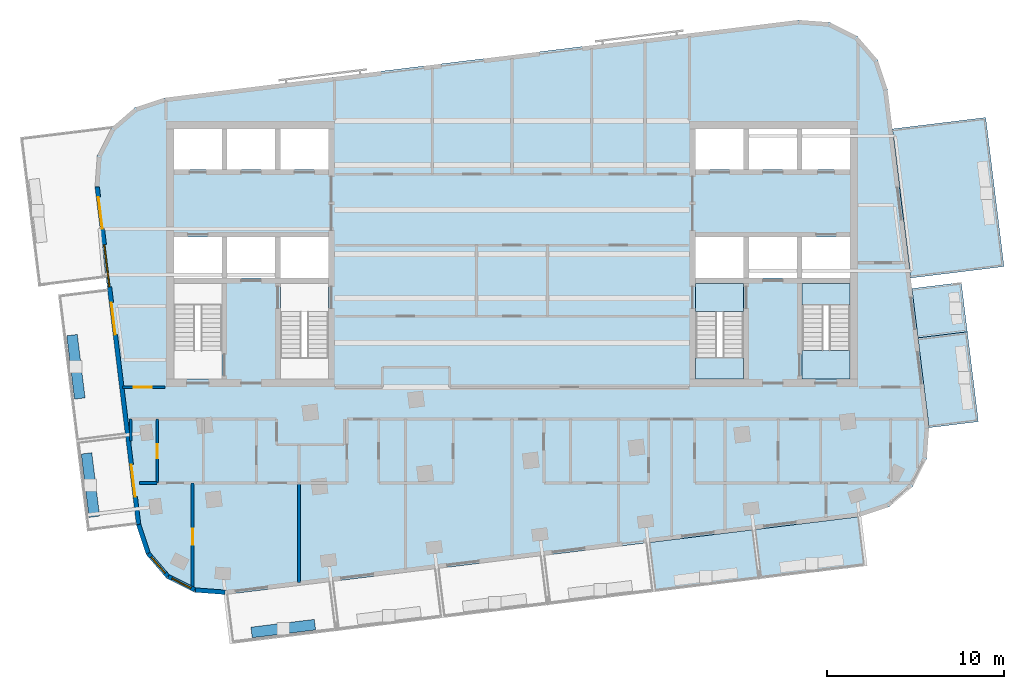
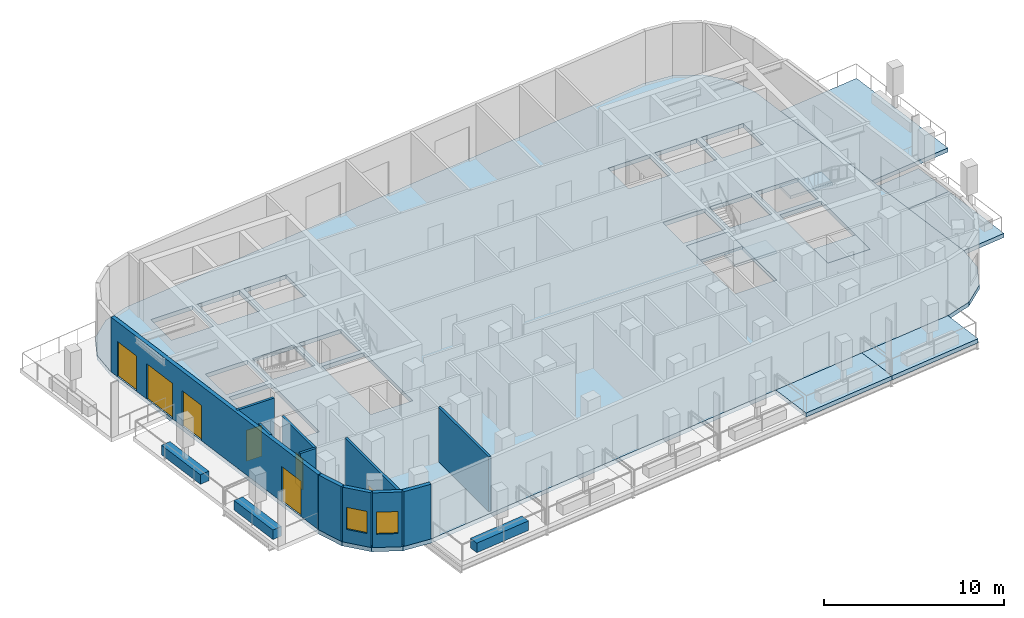
# One storey, part 2 of 11: 14 walls, 10 slabs, 6 doors, 3 windows, 9 openings, 2 elements without a shape of their own.
"""IFC4 building model written with IfcOpenShell, lengths in metres."""

from ifc_helpers import new_model, si_unit, direction, frame, frame_2d, origin, place, context, subcontext, project, spatial, polyline, rectangle, outline, extrude, material, layer, layer_set, type_object, element, fill, aggregate, save


model = new_model("IFC4")

# Units and contexts
model_context = context("Model", 3, precision=1e-05, world=origin(), true_north=direction((0.0, 1.0)))
body_context = subcontext(model_context, "Body", "Model", "MODEL_VIEW")
ifc_project = project(units=[si_unit("LENGTHUNIT", "METRE"), si_unit("AREAUNIT", "SQUARE_METRE"), si_unit("VOLUMEUNIT", "CUBIC_METRE"), si_unit("PLANEANGLEUNIT", "RADIAN"), si_unit("MASSUNIT", "GRAM", prefix="KILO")], contexts=[model_context])

# Site, building, storey
site_placement = place(None, origin())
site = spatial("IfcSite", under=ifc_project, at=site_placement, CompositionType="ELEMENT")
building_placement = place(site_placement, origin())
building = spatial("IfcBuilding", under=site, at=building_placement, Name="Torana Hotel and Residences", CompositionType="ELEMENT")
storey_placement = place(building_placement, frame((0.0, 0.0, 322.60009765625)))
storey = spatial("IfcBuildingStorey", under=building, at=storey_placement, Name="L85", CompositionType="ELEMENT", Elevation=322.60009765625)

# Slabs
ifc_material_1 = material(Name="Concrete C40/50", Category="concrete")
ifc_layer_1 = layer(ifc_material_1, 0.280029296875)
ifc_layer_set_1 = layer_set([ifc_layer_1], Name="BAL1 BALCONY SLAB 280")
slab_type_1 = type_object("IfcSlabType", Name="BAL1 BALCONY SLAB 280", PredefinedType="USERDEFINED", material=ifc_layer_set_1)
slab_1_placement = place(storey_placement, frame((0.0, 0.0, -0.280029296875)))
element("IfcSlab", 1, at=slab_1_placement, inside=storey, type_object=slab_type_1, Name="Balcony 05", ObjectType="BALCONY", PredefinedType="USERDEFINED", context=body_context, shape_type="SweptSolid", body=[
    extrude(outline(polyline([(8.014892578125, -26.542724609375), (13.97021484375, -25.8115234375), (13.62890625, -23.032470703125), (7.673583984375, -23.763671875), (8.014892578125, -26.542724609375)])), origin(), (0.0, 0.0, 1.0), 0.280029296875),
])
slab_2_placement = place(storey_placement, frame((0.0, 0.0, -0.280029296875)))
element("IfcSlab", 2, at=slab_2_placement, inside=storey, type_object=slab_type_1, Name="Balcony 06", ObjectType="BALCONY", PredefinedType="USERDEFINED", context=body_context, shape_type="SweptSolid", body=[
    extrude(outline(polyline([(13.97021484375, -25.8115234375), (19.92529296875, -25.080322265625), (19.584228515625, -22.30126953125), (13.62890625, -23.032470703125), (13.97021484375, -25.8115234375)])), origin(), (0.0, 0.0, 1.0), 0.280029296875),
])
slab_3_placement = place(storey_placement, frame((0.0, 0.0, -0.280029296875)))
element("IfcSlab", 3, at=slab_3_placement, inside=storey, type_object=slab_type_1, Name="Balcony 10", ObjectType="BALCONY", PredefinedType="USERDEFINED", context=body_context, shape_type="SweptSolid", body=[
    extrude(outline(polyline([(23.502197265625, -17.286376953125), (26.281494140625, -16.945068359375), (25.659912109375, -11.88330078125), (22.880615234375, -12.224365234375), (23.502197265625, -17.286376953125)])), origin(), (0.0, 0.0, 1.0), 0.280029296875),
])
slab_4_placement = place(storey_placement, frame((0.0, 0.0, -0.280029296875)))
element("IfcSlab", 4, at=slab_4_placement, inside=storey, type_object=slab_type_1, Name="Balcony 11", ObjectType="BALCONY", PredefinedType="USERDEFINED", context=body_context, shape_type="SweptSolid", body=[
    extrude(outline(polyline([(22.880615234375, -12.224365234375), (25.659912109375, -11.88330078125), (25.318603515625, -9.104248046875), (22.53955078125, -9.445556640625), (22.880615234375, -12.224365234375)])), origin(), (0.0, 0.0, 1.0), 0.280029296875),
])
slab_5_placement = place(storey_placement, frame((0.0, 0.0, -0.280029296875)))
element("IfcSlab", 5, at=slab_5_placement, inside=storey, type_object=slab_type_1, Name="Balcony 12", ObjectType="BALCONY", PredefinedType="USERDEFINED", context=body_context, shape_type="SweptSolid", body=[
    extrude(outline(polyline([(22.46630859375, -8.85009765625), (27.726806640625, -8.2041015625), (26.695556640625, 0.19580078125), (21.43505859375, -0.449951171875), (22.46630859375, -8.85009765625)])), origin(), (0.0, 0.0, 1.0), 0.280029296875),
])
ifc_material_2 = material(Name="Concrete C40/50", Category="concrete")
ifc_layer_2 = layer(ifc_material_2, 0.280029296875)
ifc_layer_set_2 = layer_set([ifc_layer_2], Name="FLOOR SLAB PT 280")
slab_type_2 = type_object("IfcSlabType", Name="FLOOR SLAB PT 280", PredefinedType="FLOOR", material=ifc_layer_set_2)
slab_6_placement = place(storey_placement, frame((0.0, 0.0, -0.280029296875)))
element("IfcSlab", 6, at=slab_6_placement, inside=storey, type_object=slab_type_2, Name="Floor slab", PredefinedType="FLOOR", context=body_context, shape_type="SweptSolid", body=[
    extrude(outline(polyline([(21.162353515625, 1.7705078125), (20.612548828125, 3.43798828125), (19.46630859375, 4.76806640625), (17.8984375, 5.558349609375), (16.1474609375, 5.6884765625), (-19.584228515625, 1.30126953125), (-21.251708984375, 0.75146484375), (-22.581787109375, -0.394775390625), (-23.3720703125, -1.962646484375), (-23.502197265625, -3.713623046875), (-21.162353515625, -22.7705078125), (-20.612548828125, -24.43798828125), (-19.46630859375, -25.76806640625), (-17.8984375, -26.558349609375), (-16.1474609375, -26.6884765625), (19.584228515625, -22.30126953125), (21.251708984375, -21.75146484375), (22.581787109375, -20.605224609375), (23.3720703125, -19.037353515625), (23.502197265625, -17.286376953125), (21.162353515625, 1.7705078125)]), holes=[polyline([(-13.050048828125, -14.550048828125), (-10.35009765625, -14.550048828125), (-10.35009765625, -9.14990234375), (-13.050048828125, -9.14990234375), (-13.050048828125, -14.550048828125)]), polyline([(-19.050048828125, -14.550048828125), (-16.35009765625, -14.550048828125), (-16.35009765625, -9.14990234375), (-19.050048828125, -9.14990234375), (-19.050048828125, -14.550048828125)]), polyline([(-19.050048828125, -2.75), (-16.35009765625, -2.75), (-16.35009765625, -0.449951171875), (-19.050048828125, -0.449951171875), (-19.050048828125, -2.75)]), polyline([(-13.050048828125, -2.75), (-10.35009765625, -2.75), (-10.35009765625, -0.449951171875), (-13.050048828125, -0.449951171875), (-13.050048828125, -2.75)]), polyline([(-16.050048828125, -2.75), (-13.35009765625, -2.75), (-13.35009765625, -0.449951171875), (-16.050048828125, -0.449951171875), (-16.050048828125, -2.75)]), polyline([(-13.050048828125, -8.85009765625), (-10.35009765625, -8.85009765625), (-10.35009765625, -6.550048828125), (-13.050048828125, -6.550048828125), (-13.050048828125, -8.85009765625)]), polyline([(-16.050048828125, -8.85009765625), (-13.35009765625, -8.85009765625), (-13.35009765625, -6.550048828125), (-16.050048828125, -6.550048828125), (-16.050048828125, -8.85009765625)]), polyline([(-19.050048828125, -8.85009765625), (-16.35009765625, -8.85009765625), (-16.35009765625, -6.550048828125), (-19.050048828125, -6.550048828125), (-19.050048828125, -8.85009765625)]), polyline([(10.35009765625, -14.550048828125), (13.050048828125, -14.550048828125), (13.050048828125, -9.14990234375), (10.35009765625, -9.14990234375), (10.35009765625, -14.550048828125)]), polyline([(16.35009765625, -14.550048828125), (19.050048828125, -14.550048828125), (19.050048828125, -9.14990234375), (16.35009765625, -9.14990234375), (16.35009765625, -14.550048828125)]), polyline([(16.35009765625, -2.75), (19.050048828125, -2.75), (19.050048828125, -0.449951171875), (16.35009765625, -0.449951171875), (16.35009765625, -2.75)]), polyline([(10.35009765625, -2.75), (13.050048828125, -2.75), (13.050048828125, -0.449951171875), (10.35009765625, -0.449951171875), (10.35009765625, -2.75)]), polyline([(13.35009765625, -2.75), (16.050048828125, -2.75), (16.050048828125, -0.449951171875), (13.35009765625, -0.449951171875), (13.35009765625, -2.75)]), polyline([(10.35009765625, -8.85009765625), (13.050048828125, -8.85009765625), (13.050048828125, -6.550048828125), (10.35009765625, -6.550048828125), (10.35009765625, -8.85009765625)]), polyline([(13.35009765625, -8.85009765625), (16.050048828125, -8.85009765625), (16.050048828125, -6.550048828125), (13.35009765625, -6.550048828125), (13.35009765625, -8.85009765625)]), polyline([(16.35009765625, -8.85009765625), (19.050048828125, -8.85009765625), (19.050048828125, -6.550048828125), (16.35009765625, -6.550048828125), (16.35009765625, -8.85009765625)])]), origin(), (0.0, 0.0, 1.0), 0.280029296875),
])

# Stair, slabs
ifc_material_3 = material(Name="Concrete C40/50 precast", Category="concrete")
stair_type_1 = type_object("IfcStairType", Name="STAIR ST3 HALF TURN 1200", PredefinedType="HALF_TURN_STAIR", material=ifc_material_3)
stair_1_placement = place(storey_placement, origin())
stair_1 = element("IfcStair", 7, at=stair_1_placement, inside=storey, type_object=stair_type_1, Name="Stair ST3 L85", PredefinedType="HALF_TURN_STAIR")
ifc_material_4 = material(Name="Concrete C40/50 precast", Category="concrete")
ifc_layer_3 = layer(ifc_material_4, 0.199951171875)
ifc_layer_set_3 = layer_set([ifc_layer_3], Name="STAIR LANDING 200")
slab_type_3 = type_object("IfcSlabType", Name="STAIR LANDING 200", PredefinedType="LANDING", material=ifc_layer_set_3)
slab_7_placement = place(storey_placement, frame((0.0, 0.0, 1.7998046875)))
slab_7 = element("IfcSlab", 8, at=slab_7_placement, type_object=slab_type_3, Name="ST3 landing 1", PredefinedType="LANDING", context=body_context, shape_type="SweptSolid", body=[
    extrude(outline(polyline([(10.35009765625, -14.550048828125), (13.050048828125, -14.550048828125), (13.050048828125, -13.35009765625), (10.35009765625, -13.35009765625), (10.35009765625, -14.550048828125)])), origin(), (0.0, 0.0, 1.0), 0.2001953125),
])
slab_8_placement = place(storey_placement, frame((0.0, 0.0, -0.2001953125)))
slab_8 = element("IfcSlab", 9, at=slab_8_placement, type_object=slab_type_3, Name="ST3 landing 2", PredefinedType="LANDING", context=body_context, shape_type="SweptSolid", body=[
    extrude(outline(polyline([(10.35009765625, -10.75), (13.050048828125, -10.75), (13.050048828125, -9.14990234375), (10.35009765625, -9.14990234375), (10.35009765625, -10.75)])), origin(), (0.0, 0.0, 1.0), 0.2001953125),
])
aggregate(stair_1, [slab_7, slab_8])

ifc_material_5 = material(Name="Concrete C40/50 precast", Category="concrete")
stair_type_2 = type_object("IfcStairType", Name="STAIR ST4 HALF TURN 1200", PredefinedType="HALF_TURN_STAIR", material=ifc_material_5)
stair_2_placement = place(storey_placement, origin())
stair_2 = element("IfcStair", 10, at=stair_2_placement, inside=storey, type_object=stair_type_2, Name="Stair ST4 L85", PredefinedType="HALF_TURN_STAIR")
slab_9_placement = place(storey_placement, frame((0.0, 0.0, 1.7998046875)))
slab_9 = element("IfcSlab", 11, at=slab_9_placement, type_object=slab_type_3, Name="ST4 landing 1", PredefinedType="LANDING", context=body_context, shape_type="SweptSolid", body=[
    extrude(outline(polyline([(16.35009765625, -10.35009765625), (19.050048828125, -10.35009765625), (19.050048828125, -9.14990234375), (16.35009765625, -9.14990234375), (16.35009765625, -10.35009765625)])), origin(), (0.0, 0.0, 1.0), 0.2001953125),
])
slab_10_placement = place(storey_placement, frame((0.0, 0.0, -0.2001953125)))
slab_10 = element("IfcSlab", 12, at=slab_10_placement, type_object=slab_type_3, Name="ST4 landing 2", PredefinedType="LANDING", context=body_context, shape_type="SweptSolid", body=[
    extrude(outline(polyline([(16.35009765625, -14.550048828125), (19.050048828125, -14.550048828125), (19.050048828125, -12.949951171875), (16.35009765625, -12.949951171875), (16.35009765625, -14.550048828125)])), origin(), (0.0, 0.0, 1.0), 0.2001953125),
])
aggregate(stair_2, [slab_9, slab_10])

# Wall, openings, doors, window
ifc_material_6 = material(Name="Black aluminium composite panel", Category="aluminium")
ifc_layer_4 = layer(ifc_material_6, 0.00390625, Name="Cladding", Category="cladding")
ifc_material_7 = material(Name="Ventilated air cavity")
ifc_layer_5 = layer(ifc_material_7, 0.0400390625, Name="Ventilated cavity", Category="cavity")
ifc_material_8 = material(Name="Mineral wool insulation")
ifc_layer_6 = layer(ifc_material_8, 0.090087890625, Name="Insulation", Category="insulation")
ifc_material_9 = material(Name="Steel S280GD", Category="steel")
ifc_layer_7 = layer(ifc_material_9, 0.092041015625, Name="Steel stud frame", Category="structure")
ifc_material_10 = material(Name="Fire rated plasterboard")
ifc_layer_8 = layer(ifc_material_10, 0.011962890625, Name="Inner board", Category="finish")
ifc_layer_9 = layer(ifc_material_10, 0.011962890625, Name="Second board", Category="finish")
ifc_layer_set_4 = layer_set([ifc_layer_4, ifc_layer_5, ifc_layer_6, ifc_layer_7, ifc_layer_8, ifc_layer_9], Name="EW1 EXTERNAL WALL BLACK METAL CLAD 250")
wall_type_1 = type_object("IfcWallType", Name="EW1 EXTERNAL WALL BLACK METAL CLAD 250", PredefinedType="SOLIDWALL", material=ifc_layer_set_4)
wall_1_placement = place(storey_placement, frame((-23.375, -3.722900390625, 0.0), z_axis=(0.0, 0.0, 1.0), x_axis=(0.121862878281, -0.992546945437, 0.0)))
wall_1 = element("IfcWall", 13, at=wall_1_placement, inside=storey, type_object=wall_type_1, Name="External wall L85 e0.9", PredefinedType="SOLIDWALL", context=body_context, shape_type="SweptSolid", body=[
    extrude(rectangle(XDim=19.150634765625, YDim=0.25, at=frame_2d((9.5751953125, 0.0))), origin(), (0.0, 0.0, 1.0), 3.719970703125),
])
opening_1_placement = place(wall_1_placement, frame((0.574951171875, 0.0, 0.0)))
opening_1 = element("IfcOpeningElement", 14, at=opening_1_placement, cuts=wall_1, Name="Opening L85-E10", PredefinedType="OPENING", context=body_context, shape_type="SweptSolid", body=[
    extrude(rectangle(XDim=1.800048828125, YDim=2.39990234375, at=frame_2d((0.89990234375, 1.199951171875))), frame((0.0, 0.135009765625, 0.0), z_axis=(0.0, -1.0, 0.0), x_axis=(1.0, 0.0, 0.0)), (0.0, 0.0, 1.0), 0.27001953125),
])
opening_2_placement = place(wall_1_placement, frame((3.275390625, 0.0, 0.0)))
opening_2 = element("IfcOpeningElement", 15, at=opening_2_placement, cuts=wall_1, Name="Opening W6", PredefinedType="OPENING", context=body_context, shape_type="SweptSolid", body=[
    extrude(rectangle(XDim=2.39990234375, YDim=2.39990234375, at=frame_2d((1.199951171875, 1.199951171875))), frame((0.0, 0.135009765625, 0.0), z_axis=(0.0, -1.0, 0.0), x_axis=(1.0, 0.0, 0.0)), (0.0, 0.0, 1.0), 0.27001953125),
])
opening_3_placement = place(wall_1_placement, frame((6.57568359375, 0.0, 0.0)))
opening_3 = element("IfcOpeningElement", 16, at=opening_3_placement, cuts=wall_1, Name="Opening L85-E11", PredefinedType="OPENING", context=body_context, shape_type="SweptSolid", body=[
    extrude(rectangle(XDim=1.800048828125, YDim=2.39990234375, at=frame_2d((0.89990234375, 1.199951171875))), frame((0.0, 0.135009765625, 0.0), z_axis=(0.0, -1.0, 0.0), x_axis=(1.0, 0.0, 0.0)), (0.0, 0.0, 1.0), 0.27001953125),
])
opening_4_placement = place(wall_1_placement, frame((15.77490234375, 0.0, 0.0)))
opening_4 = element("IfcOpeningElement", 17, at=opening_4_placement, cuts=wall_1, Name="Opening L85-E12", PredefinedType="OPENING", context=body_context, shape_type="SweptSolid", body=[
    extrude(rectangle(XDim=1.800048828125, YDim=2.39990234375, at=frame_2d((0.89990234375, 1.199951171875))), frame((0.0, 0.135009765625, 0.0), z_axis=(0.0, -1.0, 0.0), x_axis=(1.0, 0.0, 0.0)), (0.0, 0.0, 1.0), 0.27001953125),
])
ifc_material_11 = material(Name="Dark glass in black aluminium frame", Category="aluminium")
door_type_1 = type_object("IfcDoorType", Name="DB1 BALCONY DOOR 1800x2400", OperationType="DOUBLE_DOOR_SINGLE_SWING", PredefinedType="DOOR", material=ifc_material_11)
door_1_placement = place(opening_1_placement, origin())
door_1 = element("IfcDoor", 18, at=door_1_placement, inside=storey, type_object=door_type_1, Name="Balcony door L85", OperationType="DOUBLE_DOOR_SINGLE_SWING", OverallHeight=2.39990234375, OverallWidth=1.800048828125, PredefinedType="DOOR", context=body_context, shape_type="SweptSolid", body=[
    extrude(rectangle(XDim=1.800048828125, YDim=2.39990234375, at=frame_2d((0.89990234375, 1.199951171875))), frame((0.0, 0.02490234375, 0.0), z_axis=(0.0, -1.0, 0.0), x_axis=(1.0, 0.0, 0.0)), (0.0, 0.0, 1.0), 0.050048828125),
])
fill(opening_1, door_1)
door_2_placement = place(opening_3_placement, origin())
door_2 = element("IfcDoor", 19, at=door_2_placement, inside=storey, type_object=door_type_1, Name="Balcony door L85", OperationType="DOUBLE_DOOR_SINGLE_SWING", OverallHeight=2.39990234375, OverallWidth=1.800048828125, PredefinedType="DOOR", context=body_context, shape_type="SweptSolid", body=[
    extrude(rectangle(XDim=1.800048828125, YDim=2.39990234375, at=frame_2d((0.89990234375, 1.199951171875))), frame((0.0, 0.02490234375, 0.0), z_axis=(0.0, -1.0, 0.0), x_axis=(1.0, 0.0, 0.0)), (0.0, 0.0, 1.0), 0.050048828125),
])
fill(opening_3, door_2)
door_3_placement = place(opening_4_placement, origin())
door_3 = element("IfcDoor", 20, at=door_3_placement, inside=storey, type_object=door_type_1, Name="Balcony door L85", OperationType="DOUBLE_DOOR_SINGLE_SWING", OverallHeight=2.39990234375, OverallWidth=1.800048828125, PredefinedType="DOOR", context=body_context, shape_type="SweptSolid", body=[
    extrude(rectangle(XDim=1.800048828125, YDim=2.39990234375, at=frame_2d((0.89990234375, 1.199951171875))), frame((0.0, 0.02490234375, 0.0), z_axis=(0.0, -1.0, 0.0), x_axis=(1.0, 0.0, 0.0)), (0.0, 0.0, 1.0), 0.050048828125),
])
fill(opening_4, door_3)
ifc_material_12 = material(Name="Dark glass in black aluminium frame", Category="aluminium")
window_type_1 = type_object("IfcWindowType", Name="W6 CLUB GLAZED BAY 2400x2400", PartitioningType="SINGLE_PANEL", PredefinedType="WINDOW", material=ifc_material_12)
window_1_placement = place(opening_2_placement, origin())
window_1 = element("IfcWindow", 21, at=window_1_placement, inside=storey, type_object=window_type_1, Name="Window L85", OverallHeight=2.39990234375, OverallWidth=2.39990234375, PartitioningType="SINGLE_PANEL", PredefinedType="WINDOW", context=body_context, shape_type="SweptSolid", body=[
    extrude(rectangle(XDim=2.39990234375, YDim=2.39990234375, at=frame_2d((1.199951171875, 1.199951171875))), frame((0.0, 0.030029296875, 0.0), z_axis=(0.0, -1.0, 0.0), x_axis=(1.0, 0.0, 0.0)), (0.0, 0.0, 1.0), 0.06005859375),
])
fill(opening_2, window_1)

# Wall
wall_2_placement = place(storey_placement, frame((-21.035888671875, -22.754638671875, 0.0), z_axis=(0.0, 0.0, 1.0), x_axis=(0.313046160822, -0.949737911844, 0.0)))
element("IfcWall", 22, at=wall_2_placement, inside=storey, type_object=wall_type_1, Name="External wall L85 e0.10", PredefinedType="SOLIDWALL", context=body_context, shape_type="SweptSolid", body=[
    extrude(rectangle(XDim=1.681396484375, YDim=0.25, at=frame_2d((0.8408203125, 0.0))), origin(), (0.0, 0.0, 1.0), 3.719970703125),
])

# Wall, opening, window
wall_3_placement = place(storey_placement, frame((-20.4853515625, -24.39404296875, 0.0), z_axis=(0.0, 0.0, 1.0), x_axis=(0.652755886531, -0.757568315466, 0.0)))
wall_3 = element("IfcWall", 23, at=wall_3_placement, inside=storey, type_object=wall_type_1, Name="External wall L85 e0.11", PredefinedType="SOLIDWALL", context=body_context, shape_type="SweptSolid", body=[
    extrude(rectangle(XDim=1.65625, YDim=0.25, at=frame_2d((0.828125, 0.0))), origin(), (0.0, 0.0, 1.0), 3.719970703125),
])
opening_5_placement = place(wall_3_placement, frame((0.228271484375, 0.0, 0.89990234375)))
opening_5 = element("IfcOpeningElement", 24, at=opening_5_placement, cuts=wall_3, Name="Opening W5", PredefinedType="OPENING", context=body_context, shape_type="SweptSolid", body=[
    extrude(rectangle(XDim=1.199951171875, YDim=1.5, at=frame_2d((0.60009765625, 0.75))), frame((0.0, 0.135009765625, 0.0), z_axis=(0.0, -1.0, 0.0), x_axis=(1.0, 0.0, 0.0)), (0.0, 0.0, 1.0), 0.27001953125),
])
ifc_material_13 = material(Name="Dark glass in black aluminium frame", Category="aluminium")
window_type_2 = type_object("IfcWindowType", Name="W5 CORNER FACET WINDOW 1200x1500", PartitioningType="SINGLE_PANEL", PredefinedType="WINDOW", material=ifc_material_13)
window_2_placement = place(opening_5_placement, origin())
window_2 = element("IfcWindow", 25, at=window_2_placement, inside=storey, type_object=window_type_2, Name="Window L85 e0.11", OverallHeight=1.5, OverallWidth=1.199951171875, PartitioningType="SINGLE_PANEL", PredefinedType="WINDOW", context=body_context, shape_type="SweptSolid", body=[
    extrude(rectangle(XDim=1.199951171875, YDim=1.5, at=frame_2d((0.60009765625, 0.75))), frame((0.0, 0.030029296875, 0.0), z_axis=(0.0, -1.0, 0.0), x_axis=(1.0, 0.0, 0.0)), (0.0, 0.0, 1.0), 0.06005859375),
])
fill(opening_5, window_2)

wall_4_placement = place(storey_placement, frame((-19.36572265625, -25.678955078125, 0.0), z_axis=(0.0, 0.0, 1.0), x_axis=(0.893007580524, -0.450041621549, 0.0)))
wall_4 = element("IfcWall", 26, at=wall_4_placement, inside=storey, type_object=wall_type_1, Name="External wall L85 e0.12", PredefinedType="SOLIDWALL", context=body_context, shape_type="SweptSolid", body=[
    extrude(rectangle(XDim=1.65625, YDim=0.25, at=frame_2d((0.828125, 0.0))), origin(), (0.0, 0.0, 1.0), 3.719970703125),
])
opening_6_placement = place(wall_4_placement, frame((0.228271484375, 0.0, 0.89990234375)))
opening_6 = element("IfcOpeningElement", 27, at=opening_6_placement, cuts=wall_4, Name="Opening W5", PredefinedType="OPENING", context=body_context, shape_type="SweptSolid", body=[
    extrude(rectangle(XDim=1.199951171875, YDim=1.5, at=frame_2d((0.60009765625, 0.75))), frame((0.0, 0.135009765625, 0.0), z_axis=(0.0, -1.0, 0.0), x_axis=(1.0, 0.0, 0.0)), (0.0, 0.0, 1.0), 0.27001953125),
])
window_3_placement = place(opening_6_placement, origin())
window_3 = element("IfcWindow", 28, at=window_3_placement, inside=storey, type_object=window_type_2, Name="Window L85 e0.12", OverallHeight=1.5, OverallWidth=1.199951171875, PartitioningType="SINGLE_PANEL", PredefinedType="WINDOW", context=body_context, shape_type="SweptSolid", body=[
    extrude(rectangle(XDim=1.199951171875, YDim=1.5, at=frame_2d((0.60009765625, 0.75))), frame((0.0, 0.030029296875, 0.0), z_axis=(0.0, -1.0, 0.0), x_axis=(1.0, 0.0, 0.0)), (0.0, 0.0, 1.0), 0.06005859375),
])
fill(opening_6, window_3)

# Wall
wall_5_placement = place(storey_placement, frame((-17.839599609375, -26.4375, 0.0), z_axis=(0.0, 0.0, 1.0), x_axis=(0.997254267475, -0.074053534713, 0.0)))
element("IfcWall", 29, at=wall_5_placement, inside=storey, type_object=wall_type_1, Name="External wall L85 e0.13", PredefinedType="SOLIDWALL", context=body_context, shape_type="SweptSolid", body=[
    extrude(rectangle(XDim=1.681396484375, YDim=0.25, at=frame_2d((0.8408203125, 0.0))), origin(), (0.0, 0.0, 1.0), 3.719970703125),
])

# Wall, opening, door
ifc_material_14 = material(Name="Gypsum plaster")
ifc_layer_10 = layer(ifc_material_14, 0.014892578125, Name="Plaster", Category="finish")
ifc_material_15 = material(Name="Concrete blockwork", Category="masonry")
ifc_layer_11 = layer(ifc_material_15, 0.1201171875, Name="Blockwork", Category="structure")
ifc_layer_12 = layer(ifc_material_14, 0.014892578125, Name="Plaster", Category="finish")
ifc_layer_set_5 = layer_set([ifc_layer_10, ifc_layer_11, ifc_layer_12], Name="FIRE PARTITION 150 BLOCKWORK")
wall_type_2 = type_object("IfcWallType", Name="FIRE PARTITION 150 BLOCKWORK", PredefinedType="PARTITIONING", material=ifc_layer_set_5)
wall_6_placement = place(storey_placement, frame((-21.93505859375, -15.0, 0.0), z_axis=(0.0, 0.0, 1.0), x_axis=(1.0, 0.0, 0.0)))
wall_6 = element("IfcWall", 30, at=wall_6_placement, inside=storey, type_object=wall_type_2, Name="Partition L85", PredefinedType="PARTITIONING", context=body_context, shape_type="SweptSolid", body=[
    extrude(rectangle(XDim=2.385009765625, YDim=0.14990234375, at=frame_2d((1.1923828125, 0.0))), origin(), (0.0, 0.0, 1.0), 3.719970703125),
])
opening_7_placement = place(wall_6_placement, frame((0.626953125, 0.0, 0.0)))
opening_7 = element("IfcOpeningElement", 31, at=opening_7_placement, cuts=wall_6, Name="Opening L85-25", PredefinedType="OPENING", context=body_context, shape_type="SweptSolid", body=[
    extrude(rectangle(XDim=1.0, YDim=2.10009765625, at=frame_2d((0.5, 1.050048828125))), frame((0.0, 0.0849609375, 0.0), z_axis=(0.0, -1.0, 0.0), x_axis=(1.0, 0.0, 0.0)), (0.0, 0.0, 1.0), 0.169921875),
])
ifc_material_16 = material(Name="Steel S235", Category="steel")
door_type_2 = type_object("IfcDoorType", Name="CORE ROOM FIRE DOOR D14 1000x2100", OperationType="SINGLE_SWING_LEFT", PredefinedType="DOOR", material=ifc_material_16)
door_4_placement = place(opening_7_placement, origin())
door_4 = element("IfcDoor", 32, at=door_4_placement, inside=storey, type_object=door_type_2, Name="Door L85", OperationType="SINGLE_SWING_RIGHT", OverallHeight=2.10009765625, OverallWidth=1.0, PredefinedType="DOOR", context=body_context, shape_type="SweptSolid", body=[
    extrude(rectangle(XDim=1.0, YDim=2.10009765625, at=frame_2d((0.5, 1.050048828125))), frame((0.0, 0.02490234375, 0.0), z_axis=(0.0, -1.0, 0.0), x_axis=(1.0, 0.0, 0.0)), (0.0, 0.0, 1.0), 0.050048828125),
])
fill(opening_7, door_4)

# Wall
ifc_material_17 = material(Name="Gypsum plasterboard")
ifc_layer_13 = layer(ifc_material_17, 0.012451171875, Name="Plasterboard", Category="finish")
ifc_layer_14 = layer(ifc_material_17, 0.012451171875, Name="Plasterboard", Category="finish")
ifc_layer_15 = layer(ifc_material_9, 0.10009765625, Name="Steel studs with mineral wool", Category="insulation")
ifc_layer_16 = layer(ifc_material_17, 0.012451171875, Name="Plasterboard", Category="finish")
ifc_layer_17 = layer(ifc_material_17, 0.012451171875, Name="Plasterboard", Category="finish")
ifc_layer_set_6 = layer_set([ifc_layer_13, ifc_layer_14, ifc_layer_15, ifc_layer_16, ifc_layer_17], Name="PARTITION 150 PLASTERBOARD")
wall_type_3 = type_object("IfcWallType", Name="PARTITION 150 PLASTERBOARD", PredefinedType="PARTITIONING", material=ifc_layer_set_6)
wall_7_placement = place(storey_placement, frame((-12.0, -25.997802734375, 0.0), z_axis=(0.0, 0.0, 1.0), x_axis=(0.0, 1.0, 0.0)))
element("IfcWall", 33, at=wall_7_placement, inside=storey, type_object=wall_type_3, Name="Partition L85", PredefinedType="PARTITIONING", context=body_context, shape_type="SweptSolid", body=[
    extrude(rectangle(XDim=5.597900390625, YDim=0.14990234375, at=frame_2d((2.798828125, 0.0))), origin(), (0.0, 0.0, 1.0), 3.719970703125),
])

# Wall, opening, door
wall_8_placement = place(storey_placement, frame((-18.0, -26.238525390625, 0.0), z_axis=(0.0, 0.0, 1.0), x_axis=(0.0, 1.0, 0.0)))
wall_8 = element("IfcWall", 34, at=wall_8_placement, inside=storey, type_object=wall_type_3, Name="Partition L85", PredefinedType="PARTITIONING", context=body_context, shape_type="SweptSolid", body=[
    extrude(rectangle(XDim=5.838623046875, YDim=0.14990234375, at=frame_2d((2.91943359375, 0.0))), origin(), (0.0, 0.0, 1.0), 3.719970703125),
])
opening_8_placement = place(wall_8_placement, frame((2.3515625, 0.0, 0.0)))
opening_8 = element("IfcOpeningElement", 35, at=opening_8_placement, cuts=wall_8, Name="Opening L85-47", PredefinedType="OPENING", context=body_context, shape_type="SweptSolid", body=[
    extrude(rectangle(XDim=0.89990234375, YDim=2.10009765625, at=frame_2d((0.449951171875, 1.050048828125))), frame((0.0, 0.0849609375, 0.0), z_axis=(0.0, -1.0, 0.0), x_axis=(1.0, 0.0, 0.0)), (0.0, 0.0, 1.0), 0.169921875),
])
ifc_material_18 = material(Name="Timber door, oiled ash", Category="wood")
door_type_3 = type_object("IfcDoorType", Name="ROOM DOOR D7 900x2100", OperationType="SINGLE_SWING_LEFT", PredefinedType="DOOR", material=ifc_material_18)
door_5_placement = place(opening_8_placement, origin())
door_5 = element("IfcDoor", 36, at=door_5_placement, inside=storey, type_object=door_type_3, Name="Door L85", OperationType="SINGLE_SWING_RIGHT", OverallHeight=2.10009765625, OverallWidth=0.89990234375, PredefinedType="DOOR", context=body_context, shape_type="SweptSolid", body=[
    extrude(rectangle(XDim=0.89990234375, YDim=2.10009765625, at=frame_2d((0.449951171875, 1.050048828125))), frame((0.0, 0.02490234375, 0.0), z_axis=(0.0, -1.0, 0.0), x_axis=(1.0, 0.0, 0.0)), (0.0, 0.0, 1.0), 0.050048828125),
])
fill(opening_8, door_5)

# Walls
ifc_material_19 = material(Name="Concrete C40/50 precast", Category="concrete")
ifc_layer_18 = layer(ifc_material_19, 0.10009765625, Name="Planter shell", Category="structure")
ifc_material_20 = material(Name="Root resistant membrane")
ifc_layer_19 = layer(ifc_material_20, 0.00390625, Name="Waterproofing membrane", Category="membrane")
ifc_material_21 = material(Name="Drainage board with filter fleece")
ifc_layer_20 = layer(ifc_material_21, 0.02001953125, Name="Drainage board", Category="drainage")
ifc_material_22 = material(Name="Growing medium")
ifc_layer_21 = layer(ifc_material_22, 0.47607421875, Name="Planting substrate", Category="soil")
ifc_layer_set_7 = layer_set([ifc_layer_18, ifc_layer_19, ifc_layer_20, ifc_layer_21], Name="PL1 BALCONY PLANTER 600")
wall_type_4 = type_object("IfcWallType", Name="PL1 BALCONY PLANTER 600", PredefinedType="USERDEFINED", material=ifc_layer_set_7)
wall_9_placement = place(storey_placement, frame((-11.10302734375, -28.386474609375, 0.0), z_axis=(0.0, 0.0, 1.0), x_axis=(-0.992545758265, -0.121872547154, 0.0)))
element("IfcWall", 37, at=wall_9_placement, inside=storey, type_object=wall_type_4, Name="Planter 01", ObjectType="PLANTER", PredefinedType="USERDEFINED", context=body_context, shape_type="SweptSolid", body=[
    extrude(rectangle(XDim=3.599853515625, YDim=0.60009765625, at=frame_2d((1.7998046875, 0.0))), origin(), (0.0, 0.0, 1.0), 0.64990234375),
])
wall_10_placement = place(storey_placement, frame((-23.53662109375, -22.306396484375, 0.0), z_axis=(0.0, 0.0, 1.0), x_axis=(-0.121864343918, 0.992546765488, 0.0)))
element("IfcWall", 38, at=wall_10_placement, inside=storey, type_object=wall_type_4, Name="Planter 07", ObjectType="PLANTER", PredefinedType="USERDEFINED", context=body_context, shape_type="SweptSolid", body=[
    extrude(rectangle(XDim=3.60009765625, YDim=0.60009765625, at=frame_2d((1.800048828125, 0.0))), origin(), (0.0, 0.0, 1.0), 0.64990234375),
])
wall_11_placement = place(storey_placement, frame((-24.354736328125, -15.643798828125, 0.0), z_axis=(0.0, 0.0, 1.0), x_axis=(-0.121872547154, 0.992545758265, 0.0)))
element("IfcWall", 39, at=wall_11_placement, inside=storey, type_object=wall_type_4, Name="Planter 08", ObjectType="PLANTER", PredefinedType="USERDEFINED", context=body_context, shape_type="SweptSolid", body=[
    extrude(rectangle(XDim=3.599853515625, YDim=0.60009765625, at=frame_2d((1.7998046875, 0.0))), origin(), (0.0, 0.0, 1.0), 0.64990234375),
])

# Wall, opening, door
ifc_material_23 = material(Name="Ceramic tile on adhesive")
ifc_layer_22 = layer(ifc_material_23, 0.010009765625, Name="Wall tile", Category="finish")
ifc_material_24 = material(Name="Cement render")
ifc_layer_23 = layer(ifc_material_24, 0.010009765625, Name="Render", Category="finish")
ifc_layer_24 = layer(ifc_material_15, 0.110107421875, Name="Blockwork", Category="structure")
ifc_layer_25 = layer(ifc_material_24, 0.010009765625, Name="Render", Category="finish")
ifc_layer_26 = layer(ifc_material_23, 0.010009765625, Name="Wall tile", Category="finish")
ifc_layer_set_8 = layer_set([ifc_layer_22, ifc_layer_23, ifc_layer_24, ifc_layer_25, ifc_layer_26], Name="WC PARTITION 150")
wall_type_5 = type_object("IfcWallType", Name="WC PARTITION 150", PredefinedType="PLUMBINGWALL", material=ifc_layer_set_8)
wall_12_placement = place(storey_placement, frame((-19.989990234375, -20.39990234375, 0.0), z_axis=(0.0, 0.0, 1.0), x_axis=(0.0, 1.0, 0.0)))
wall_12 = element("IfcWall", 40, at=wall_12_placement, inside=storey, type_object=wall_type_5, Name="Partition L85", PredefinedType="PLUMBINGWALL", context=body_context, shape_type="SweptSolid", body=[
    extrude(rectangle(XDim=3.599853515625, YDim=0.14990234375, at=frame_2d((1.7998046875, 0.0))), origin(), (0.0, 0.0, 1.0), 3.719970703125),
])
opening_9_placement = place(wall_12_placement, frame((1.3798828125, 0.0, 0.0)))
opening_9 = element("IfcOpeningElement", 41, at=opening_9_placement, cuts=wall_12, Name="Opening L85-46", PredefinedType="OPENING", context=body_context, shape_type="SweptSolid", body=[
    extrude(rectangle(XDim=0.800048828125, YDim=2.10009765625, at=frame_2d((0.39990234375, 1.050048828125))), frame((0.0, 0.0849609375, 0.0), z_axis=(0.0, -1.0, 0.0), x_axis=(1.0, 0.0, 0.0)), (0.0, 0.0, 1.0), 0.169921875),
])
ifc_material_25 = material(Name="Timber door, painted", Category="wood")
door_type_4 = type_object("IfcDoorType", Name="BATH DOOR D13 800x2100", OperationType="SINGLE_SWING_LEFT", PredefinedType="DOOR", material=ifc_material_25)
door_6_placement = place(opening_9_placement, origin())
door_6 = element("IfcDoor", 42, at=door_6_placement, inside=storey, type_object=door_type_4, Name="Door L85", OperationType="SINGLE_SWING_LEFT", OverallHeight=2.10009765625, OverallWidth=0.800048828125, PredefinedType="DOOR", context=body_context, shape_type="SweptSolid", body=[
    extrude(rectangle(XDim=0.800048828125, YDim=2.10009765625, at=frame_2d((0.39990234375, 1.050048828125))), frame((0.0, 0.02490234375, 0.0), z_axis=(0.0, -1.0, 0.0), x_axis=(1.0, 0.0, 0.0)), (0.0, 0.0, 1.0), 0.050048828125),
])
fill(opening_9, door_6)

# Walls
wall_13_placement = place(storey_placement, frame((-21.489990234375, -18.050048828125, 0.0), z_axis=(0.0, 0.0, 1.0), x_axis=(0.0, 1.0, 0.0)))
element("IfcWall", 43, at=wall_13_placement, inside=storey, type_object=wall_type_5, Name="Partition L85", PredefinedType="PLUMBINGWALL", context=body_context, shape_type="SweptSolid", body=[
    extrude(rectangle(XDim=1.25, YDim=0.14990234375, at=frame_2d((0.625, 0.0))), origin(), (0.0, 0.0, 1.0), 3.719970703125),
])
wall_14_placement = place(storey_placement, frame((-20.989990234375, -20.39990234375, 0.0), z_axis=(0.0, 0.0, 1.0), x_axis=(1.0, 0.0, 0.0)))
element("IfcWall", 44, at=wall_14_placement, inside=storey, type_object=wall_type_5, Name="Partition L85", PredefinedType="PLUMBINGWALL", context=body_context, shape_type="SweptSolid", body=[
    extrude(rectangle(XDim=1.0, YDim=0.14990234375, at=frame_2d((0.5, 0.0))), origin(), (0.0, 0.0, 1.0), 3.719970703125),
])

save(model, "model.ifc")
